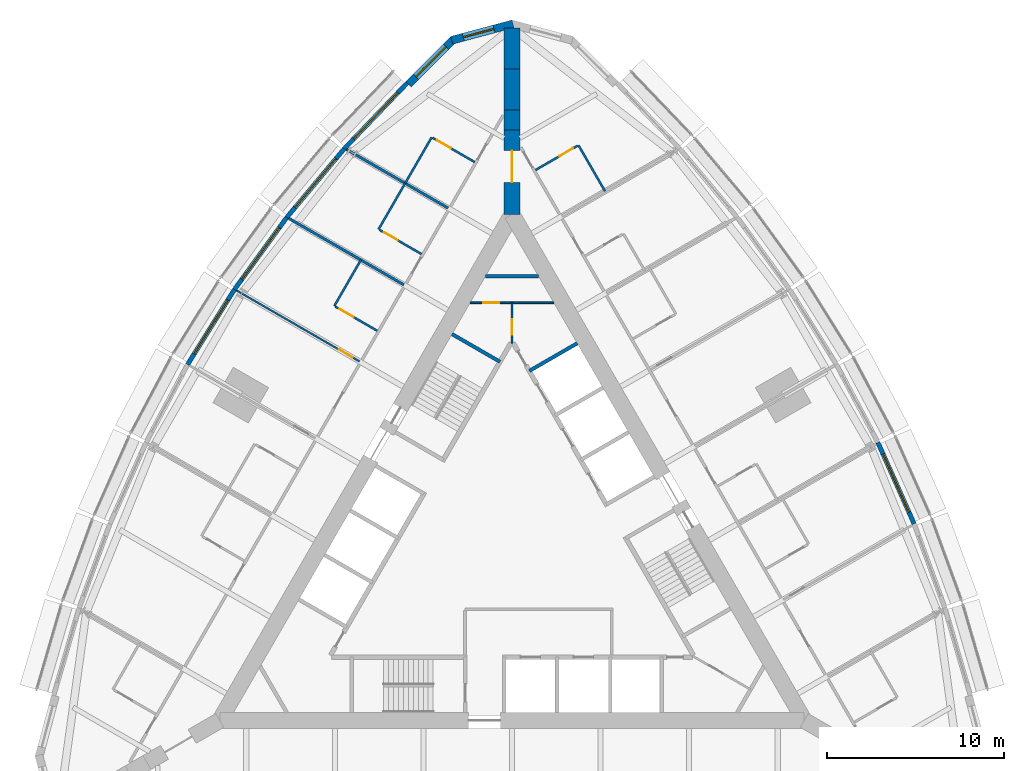
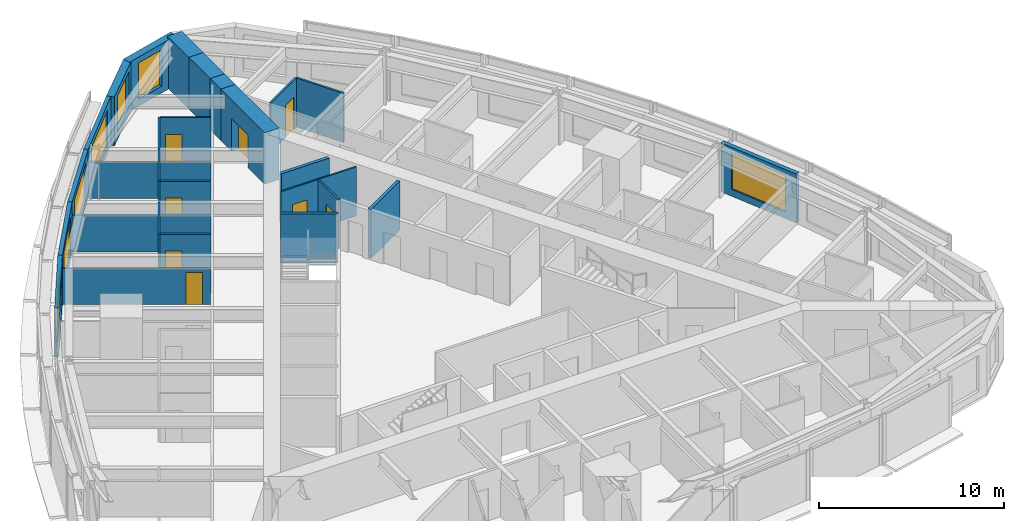
# One storey, part 12 of 14: 27 walls, 8 doors, 7 windows, 15 openings.
"""IFC4 building model written with IfcOpenShell, lengths in metres."""

from ifc_helpers import new_model, si_unit, direction, frame, frame_2d, origin, place, context, subcontext, project, spatial, polyline, rectangle, outline, extrude, material, layer, layer_set, type_object, element, fill, save


model = new_model("IFC4")

# Units and contexts
model_context = context("Model", 3, precision=1e-05, world=origin(), true_north=direction((0.0, 1.0)))
body_context = subcontext(model_context, "Body", "Model", "MODEL_VIEW")
ifc_project = project(units=[si_unit("LENGTHUNIT", "METRE"), si_unit("AREAUNIT", "SQUARE_METRE"), si_unit("VOLUMEUNIT", "CUBIC_METRE"), si_unit("PLANEANGLEUNIT", "RADIAN"), si_unit("MASSUNIT", "GRAM", prefix="KILO")], contexts=[model_context])

# Site, building, storey
site_placement = place(None, origin())
site = spatial("IfcSite", under=ifc_project, at=site_placement, CompositionType="ELEMENT")
building_placement = place(site_placement, origin())
building = spatial("IfcBuilding", under=site, at=building_placement, Name="Trikona Tower", CompositionType="ELEMENT")
storey_placement = place(building_placement, frame((0.0, 0.0, 152.10009765625)))
storey = spatial("IfcBuildingStorey", under=building, at=storey_placement, Name="L40", CompositionType="ELEMENT", Elevation=152.10009765625)

# Wall
ifc_material_1 = material(Name="Metal stud and cement board", Category="gypsum")
ifc_layer_1 = layer(ifc_material_1, 0.1201171875)
ifc_layer_set_1 = layer_set([ifc_layer_1], Name="Bathroom wall 120")
wall_type_1 = type_object("IfcWallType", Name="Bathroom wall 120", PredefinedType="PLUMBINGWALL", material=ifc_layer_set_1)
wall_1_placement = place(storey_placement, frame((5.25341796875, 20.353515625, 0.0), z_axis=(0.0, 0.0, 1.0), x_axis=(-0.499990139034, 0.866031096941, 0.0)))
element("IfcWall", 1, at=wall_1_placement, inside=storey, type_object=wall_type_1, Name="Bathroom wall 4012", PredefinedType="PLUMBINGWALL", context=body_context, shape_type="SweptSolid", body=[
    extrude(rectangle(XDim=3.0, YDim=0.1201171875, at=frame_2d((1.5, 0.0))), origin(), (0.0, 0.0, 1.0), 3.23486328125),
])

# Wall, opening, door
wall_2_placement = place(storey_placement, frame((1.32861328125, 21.551513671875, 0.0), z_axis=(0.0, 0.0, 1.0), x_axis=(0.865997131366, 0.500048966069, 0.0)))
wall_2 = element("IfcWall", 2, at=wall_2_placement, inside=storey, type_object=wall_type_1, Name="Bathroom wall 4012", PredefinedType="PLUMBINGWALL", context=body_context, shape_type="SweptSolid", body=[
    extrude(rectangle(XDim=2.739990234375, YDim=0.1201171875, at=frame_2d((1.3701171875, 0.0))), origin(), (0.0, 0.0, 1.0), 3.23486328125),
])
opening_1_placement = place(wall_2_placement, frame((1.550048828125, 0.0, 0.0)))
opening_1 = element("IfcOpeningElement", 3, at=opening_1_placement, cuts=wall_2, Name="Opening D2", PredefinedType="OPENING", context=body_context, shape_type="SweptSolid", body=[
    extrude(rectangle(XDim=0.89990234375, YDim=2.1298828125, at=frame_2d((0.449951171875, 1.06494140625))), frame((0.0, 0.070068359375, 0.0), z_axis=(0.0, -1.0, 0.0), x_axis=(1.0, 0.0, 0.0)), (0.0, 0.0, 1.0), 0.14013671875),
])
ifc_material_2 = material(Name="Steel door frame with solid-core timber leaf", Category="steel")
door_type_1 = type_object("IfcDoorType", Name="Bathroom door 900x2130", OperationType="SLIDING_TO_LEFT", PredefinedType="DOOR", material=ifc_material_2)
door_1_placement = place(opening_1_placement, origin())
door_1 = element("IfcDoor", 4, at=door_1_placement, inside=storey, type_object=door_type_1, Name="Bathroom door 4012", OperationType="SLIDING_TO_LEFT", OverallHeight=2.1298828125, OverallWidth=0.89990234375, PredefinedType="DOOR", context=body_context, shape_type="SweptSolid", body=[
    extrude(rectangle(XDim=0.89990234375, YDim=2.1298828125, at=frame_2d((0.449951171875, 1.06494140625))), frame((0.0, 0.02490234375, 0.0), z_axis=(0.0, -1.0, 0.0), x_axis=(1.0, 0.0, 0.0)), (0.0, 0.0, 1.0), 0.050048828125),
])
fill(opening_1, door_1)

# Wall
wall_3_placement = place(storey_placement, frame((-4.53271484375, 23.401611328125, 0.0), z_axis=(0.0, 0.0, 1.0), x_axis=(-0.499990139034, -0.866031096941, 0.0)))
element("IfcWall", 5, at=wall_3_placement, inside=storey, type_object=wall_type_1, Name="Bathroom wall 4013", PredefinedType="PLUMBINGWALL", context=body_context, shape_type="SweptSolid", body=[
    extrude(rectangle(XDim=3.0, YDim=0.1201171875, at=frame_2d((1.5, 0.0))), origin(), (0.0, 0.0, 1.0), 3.23486328125),
])

# Wall, opening, door
wall_4_placement = place(storey_placement, frame((-2.10791015625, 22.001708984375, 0.0), z_axis=(0.0, 0.0, 1.0), x_axis=(-0.866035715982, 0.499982138324, 0.0)))
wall_4 = element("IfcWall", 6, at=wall_4_placement, inside=storey, type_object=wall_type_1, Name="Bathroom wall 4013", PredefinedType="PLUMBINGWALL", context=body_context, shape_type="SweptSolid", body=[
    extrude(rectangle(XDim=2.73974609375, YDim=0.1201171875, at=frame_2d((1.369873046875, 0.0))), origin(), (0.0, 0.0, 1.0), 3.23486328125),
])
opening_2_placement = place(wall_4_placement, frame((1.550048828125, 0.0, 0.0)))
opening_2 = element("IfcOpeningElement", 7, at=opening_2_placement, cuts=wall_4, Name="Opening D2", PredefinedType="OPENING", context=body_context, shape_type="SweptSolid", body=[
    extrude(rectangle(XDim=0.89990234375, YDim=2.1298828125, at=frame_2d((0.449951171875, 1.06494140625))), frame((0.0, 0.070068359375, 0.0), z_axis=(0.0, -1.0, 0.0), x_axis=(1.0, 0.0, 0.0)), (0.0, 0.0, 1.0), 0.14013671875),
])
door_2_placement = place(opening_2_placement, origin())
door_2 = element("IfcDoor", 8, at=door_2_placement, inside=storey, type_object=door_type_1, Name="Bathroom door 4013", OperationType="SLIDING_TO_LEFT", OverallHeight=2.1298828125, OverallWidth=0.89990234375, PredefinedType="DOOR", context=body_context, shape_type="SweptSolid", body=[
    extrude(rectangle(XDim=0.89990234375, YDim=2.1298828125, at=frame_2d((0.449951171875, 1.06494140625))), frame((0.0, 0.02490234375, 0.0), z_axis=(0.0, -1.0, 0.0), x_axis=(1.0, 0.0, 0.0)), (0.0, 0.0, 1.0), 0.050048828125),
])
fill(opening_2, door_2)

# Wall
wall_5_placement = place(storey_placement, frame((-6.03271484375, 20.803466796875, 0.0), z_axis=(0.0, 0.0, 1.0), x_axis=(-0.499990139034, -0.866031096941, 0.0)))
element("IfcWall", 9, at=wall_5_placement, inside=storey, type_object=wall_type_1, Name="Bathroom wall 4014", PredefinedType="PLUMBINGWALL", context=body_context, shape_type="SweptSolid", body=[
    extrude(rectangle(XDim=3.0, YDim=0.1201171875, at=frame_2d((1.5, 0.0))), origin(), (0.0, 0.0, 1.0), 3.23486328125),
])

# Wall, opening, door
wall_6_placement = place(storey_placement, frame((-5.10791015625, 16.805419921875, 0.0), z_axis=(0.0, 0.0, 1.0), x_axis=(-0.866035715982, 0.499982138324, 0.0)))
wall_6 = element("IfcWall", 10, at=wall_6_placement, inside=storey, type_object=wall_type_1, Name="Bathroom wall 4014", PredefinedType="PLUMBINGWALL", context=body_context, shape_type="SweptSolid", body=[
    extrude(rectangle(XDim=2.73974609375, YDim=0.1201171875, at=frame_2d((1.369873046875, 0.0))), origin(), (0.0, 0.0, 1.0), 3.23486328125),
])
opening_3_placement = place(wall_6_placement, frame((1.550048828125, 0.0, 0.0)))
opening_3 = element("IfcOpeningElement", 11, at=opening_3_placement, cuts=wall_6, Name="Opening D2", PredefinedType="OPENING", context=body_context, shape_type="SweptSolid", body=[
    extrude(rectangle(XDim=0.89990234375, YDim=2.1298828125, at=frame_2d((0.449951171875, 1.06494140625))), frame((0.0, 0.070068359375, 0.0), z_axis=(0.0, -1.0, 0.0), x_axis=(1.0, 0.0, 0.0)), (0.0, 0.0, 1.0), 0.14013671875),
])
door_3_placement = place(opening_3_placement, origin())
door_3 = element("IfcDoor", 12, at=door_3_placement, inside=storey, type_object=door_type_1, Name="Bathroom door 4014", OperationType="SLIDING_TO_LEFT", OverallHeight=2.1298828125, OverallWidth=0.89990234375, PredefinedType="DOOR", context=body_context, shape_type="SweptSolid", body=[
    extrude(rectangle(XDim=0.89990234375, YDim=2.1298828125, at=frame_2d((0.449951171875, 1.06494140625))), frame((0.0, 0.02490234375, 0.0), z_axis=(0.0, -1.0, 0.0), x_axis=(1.0, 0.0, 0.0)), (0.0, 0.0, 1.0), 0.050048828125),
])
fill(opening_3, door_3)

# Wall
wall_7_placement = place(storey_placement, frame((-8.53271484375, 16.473388671875, 0.0), z_axis=(0.0, 0.0, 1.0), x_axis=(-0.499990139034, -0.866031096941, 0.0)))
element("IfcWall", 13, at=wall_7_placement, inside=storey, type_object=wall_type_1, Name="Bathroom wall 4015.1", PredefinedType="PLUMBINGWALL", context=body_context, shape_type="SweptSolid", body=[
    extrude(rectangle(XDim=3.0, YDim=0.1201171875, at=frame_2d((1.5, 0.0))), origin(), (0.0, 0.0, 1.0), 3.23486328125),
])

# Wall, opening, door
wall_8_placement = place(storey_placement, frame((-7.60791015625, 12.475341796875, 0.0), z_axis=(0.0, 0.0, 1.0), x_axis=(-0.866035715982, 0.499982138324, 0.0)))
wall_8 = element("IfcWall", 14, at=wall_8_placement, inside=storey, type_object=wall_type_1, Name="Bathroom wall 4015.1", PredefinedType="PLUMBINGWALL", context=body_context, shape_type="SweptSolid", body=[
    extrude(rectangle(XDim=2.73974609375, YDim=0.1201171875, at=frame_2d((1.369873046875, 0.0))), origin(), (0.0, 0.0, 1.0), 3.23486328125),
])
opening_4_placement = place(wall_8_placement, frame((1.550048828125, 0.0, 0.0)))
opening_4 = element("IfcOpeningElement", 15, at=opening_4_placement, cuts=wall_8, Name="Opening D2", PredefinedType="OPENING", context=body_context, shape_type="SweptSolid", body=[
    extrude(rectangle(XDim=0.89990234375, YDim=2.1298828125, at=frame_2d((0.449951171875, 1.06494140625))), frame((0.0, 0.070068359375, 0.0), z_axis=(0.0, -1.0, 0.0), x_axis=(1.0, 0.0, 0.0)), (0.0, 0.0, 1.0), 0.14013671875),
])
door_4_placement = place(opening_4_placement, origin())
door_4 = element("IfcDoor", 16, at=door_4_placement, inside=storey, type_object=door_type_1, Name="Bathroom door 4015.1", OperationType="SLIDING_TO_LEFT", OverallHeight=2.1298828125, OverallWidth=0.89990234375, PredefinedType="DOOR", context=body_context, shape_type="SweptSolid", body=[
    extrude(rectangle(XDim=0.89990234375, YDim=2.1298828125, at=frame_2d((0.449951171875, 1.06494140625))), frame((0.0, 0.02490234375, 0.0), z_axis=(0.0, -1.0, 0.0), x_axis=(1.0, 0.0, 0.0)), (0.0, 0.0, 1.0), 0.050048828125),
])
fill(opening_4, door_4)

# Wall, opening, window
ifc_material_3 = material(Name="Brick-faced precast concrete", Category="masonry")
ifc_layer_2 = layer(ifc_material_3, 0.449951171875)
ifc_layer_set_2 = layer_set([ifc_layer_2], Name="Brick-faced corner wall 450")
wall_type_2 = type_object("IfcWallType", Name="Brick-faced corner wall 450", PredefinedType="SOLIDWALL", material=ifc_layer_set_2)
wall_9_placement = place(storey_placement, frame((0.05810546875, 29.804931640625, 0.0), z_axis=(0.0, 0.0, 1.0), x_axis=(-0.965924653531, -0.258823421857, 0.0)))
wall_9 = element("IfcWall", 17, at=wall_9_placement, inside=storey, type_object=wall_type_2, Name="External wall L40-22", PredefinedType="SOLIDWALL", context=body_context, shape_type="SweptSolid", body=[
    extrude(outline(polyline([(3.58642578125, 0.22509765625), (0.58642578125, 0.22509765625), (0.551025390625, 0.09326171875), (0.0595703125, 0.22509765625), (0.0, 0.22509765625), (0.0, -0.22509765625), (3.58642578125, -0.22509765625), (3.58642578125, 0.22509765625)])), origin(), (0.0, 0.0, 1.0), 3.23486328125),
])
opening_5_placement = place(wall_9_placement, frame((1.111328125, 0.0, 0.449951171875)))
opening_5 = element("IfcOpeningElement", 18, at=opening_5_placement, cuts=wall_9, Name="Opening W1824", PredefinedType="OPENING", context=body_context, shape_type="SweptSolid", body=[
    extrude(rectangle(XDim=1.800048828125, YDim=2.39990234375, at=frame_2d((0.89990234375, 1.199951171875))), frame((0.0, 0.23486328125, 0.0), z_axis=(0.0, -1.0, 0.0), x_axis=(1.0, 0.0, 0.0)), (0.0, 0.0, 1.0), 0.469970703125),
])
ifc_material_4 = material(Name="Aluminium-framed double glazing", Category="aluminium")
window_type_1 = type_object("IfcWindowType", Name="Window 1800x2400", PartitioningType="SINGLE_PANEL", PredefinedType="WINDOW", material=ifc_material_4)
window_1_placement = place(opening_5_placement, origin())
window_1 = element("IfcWindow", 19, at=window_1_placement, inside=storey, type_object=window_type_1, Name="Window 4013", OverallHeight=2.39990234375, OverallWidth=1.800048828125, PartitioningType="SINGLE_PANEL", PredefinedType="WINDOW", context=body_context, shape_type="SweptSolid", body=[
    extrude(rectangle(XDim=1.800048828125, YDim=2.39990234375, at=frame_2d((0.89990234375, 1.199951171875))), frame((0.0, 0.030029296875, 0.0), z_axis=(0.0, -1.0, 0.0), x_axis=(1.0, 0.0, 0.0)), (0.0, 0.0, 1.0), 0.06005859375),
])
fill(opening_5, window_1)

wall_10_placement = place(storey_placement, frame((-3.304931640625, 28.934814453125, 0.0), z_axis=(0.0, 0.0, 1.0), x_axis=(-0.707106781187, -0.707106781187, 0.0)))
wall_10 = element("IfcWall", 20, at=wall_10_placement, inside=storey, type_object=wall_type_2, Name="External wall L40-23", PredefinedType="SOLIDWALL", context=body_context, shape_type="SweptSolid", body=[
    extrude(rectangle(XDim=3.586181640625, YDim=0.449951171875, at=frame_2d((1.79296875, 0.0))), origin(), (0.0, 0.0, 1.0), 3.23486328125),
])
opening_6_placement = place(wall_10_placement, frame((0.59326171875, 0.0, 0.449951171875)))
opening_6 = element("IfcOpeningElement", 21, at=opening_6_placement, cuts=wall_10, Name="Opening W2424", PredefinedType="OPENING", context=body_context, shape_type="SweptSolid", body=[
    extrude(rectangle(XDim=2.39990234375, YDim=2.39990234375, at=frame_2d((1.199951171875, 1.199951171875))), frame((0.0, 0.23486328125, 0.0), z_axis=(0.0, -1.0, 0.0), x_axis=(1.0, 0.0, 0.0)), (0.0, 0.0, 1.0), 0.469970703125),
])
ifc_material_5 = material(Name="Aluminium-framed double glazing", Category="aluminium")
window_type_2 = type_object("IfcWindowType", Name="Window 2400x2400", PartitioningType="SINGLE_PANEL", PredefinedType="WINDOW", material=ifc_material_5)
window_2_placement = place(opening_6_placement, origin())
window_2 = element("IfcWindow", 22, at=window_2_placement, inside=storey, type_object=window_type_2, Name="Window 4013", OverallHeight=2.39990234375, OverallWidth=2.39990234375, PartitioningType="SINGLE_PANEL", PredefinedType="WINDOW", context=body_context, shape_type="SweptSolid", body=[
    extrude(rectangle(XDim=2.39990234375, YDim=2.39990234375, at=frame_2d((1.199951171875, 1.199951171875))), frame((0.0, 0.030029296875, 0.0), z_axis=(0.0, -1.0, 0.0), x_axis=(1.0, 0.0, 0.0)), (0.0, 0.0, 1.0), 0.06005859375),
])
fill(opening_6, window_2)

# Wall, opening, door
ifc_material_6 = material(Name="Concrete f'c 10000 psi", Category="concrete")
ifc_layer_3 = layer(ifc_material_6, 0.89990234375)
ifc_layer_set_3 = layer_set([ifc_layer_3], Name="Buttress wall 900")
wall_type_3 = type_object("IfcWallType", Name="Buttress wall 900", PredefinedType="SHEAR", material=ifc_layer_set_3)
wall_11_placement = place(storey_placement, frame((0.0, 19.052490234375, 0.0), z_axis=(0.0, 0.0, 1.0), x_axis=(0.0, 1.0, 0.0)))
wall_11 = element("IfcWall", 23, at=wall_11_placement, inside=storey, type_object=wall_type_3, Name="Buttress wall 2", PredefinedType="SHEAR", context=body_context, shape_type="SweptSolid", body=[
    extrude(rectangle(XDim=4.74609375, YDim=0.89990234375, at=frame_2d((2.373046875, 0.0))), origin(), (0.0, 0.0, 1.0), 3.39990234375),
])
opening_7_placement = place(wall_11_placement, frame((1.800048828125, 0.0, 0.0)))
opening_7 = element("IfcOpeningElement", 24, at=opening_7_placement, cuts=wall_11, Name="Opening D10", PredefinedType="OPENING", context=body_context, shape_type="SweptSolid", body=[
    extrude(rectangle(XDim=1.800048828125, YDim=2.1298828125, at=frame_2d((0.89990234375, 1.06494140625))), frame((0.0, 0.4599609375, 0.0), z_axis=(0.0, -1.0, 0.0), x_axis=(1.0, 0.0, 0.0)), (0.0, 0.0, 1.0), 0.919921875),
])
ifc_material_7 = material(Name="Hollow metal door and frame", Category="steel")
door_type_2 = type_object("IfcDoorType", Name="Cross-corridor door pair 1800x2130", OperationType="DOUBLE_DOOR_DOUBLE_SWING", PredefinedType="DOOR", material=ifc_material_7)
door_5_placement = place(opening_7_placement, origin())
door_5 = element("IfcDoor", 25, at=door_5_placement, inside=storey, type_object=door_type_2, Name="Cross-corridor door 2", OperationType="DOUBLE_DOOR_DOUBLE_SWING", OverallHeight=2.1298828125, OverallWidth=1.800048828125, PredefinedType="DOOR", context=body_context, shape_type="SweptSolid", body=[
    extrude(rectangle(XDim=1.800048828125, YDim=2.1298828125, at=frame_2d((0.89990234375, 1.06494140625))), frame((0.0, 0.02490234375, 0.0), z_axis=(0.0, -1.0, 0.0), x_axis=(1.0, 0.0, 0.0)), (0.0, 0.0, 1.0), 0.050048828125),
])
fill(opening_7, door_5)

# Walls
wall_12_placement = place(storey_placement, frame((0.0, 23.798583984375, 0.0), z_axis=(0.0, 0.0, 1.0), x_axis=(0.0, 1.0, 0.0)))
element("IfcWall", 26, at=wall_12_placement, inside=storey, type_object=wall_type_3, Name="Buttress wall 2 part 2", PredefinedType="SHEAR", context=body_context, shape_type="SweptSolid", body=[
    extrude(rectangle(XDim=1.15478515625, YDim=0.89990234375, at=frame_2d((0.577392578125, 0.0))), origin(), (0.0, 0.0, 1.0), 3.39990234375),
])
wall_13_placement = place(storey_placement, frame((0.0, 24.953369140625, 0.0), z_axis=(0.0, 0.0, 1.0), x_axis=(0.0, 1.0, 0.0)))
element("IfcWall", 27, at=wall_13_placement, inside=storey, type_object=wall_type_3, Name="Buttress wall 2 part 3", PredefinedType="SHEAR", context=body_context, shape_type="SweptSolid", body=[
    extrude(rectangle(XDim=2.309326171875, YDim=0.89990234375, at=frame_2d((1.15478515625, 0.0))), origin(), (0.0, 0.0, 1.0), 3.39990234375),
])
wall_14_placement = place(storey_placement, frame((0.0, 27.2626953125, 0.0), z_axis=(0.0, 0.0, 1.0), x_axis=(0.0, 1.0, 0.0)))
element("IfcWall", 28, at=wall_14_placement, inside=storey, type_object=wall_type_3, Name="Buttress wall 2 part 4", PredefinedType="SHEAR", context=body_context, shape_type="SweptSolid", body=[
    extrude(rectangle(XDim=2.3095703125, YDim=0.89990234375, at=frame_2d((1.15478515625, 0.0))), origin(), (0.0, 0.0, 1.0), 3.39990234375),
])

# Wall, opening, window
ifc_material_8 = material(Name="Insulated precast concrete spandrel panel", Category="concrete")
ifc_layer_4 = layer(ifc_material_8, 0.25)
ifc_layer_set_4 = layer_set([ifc_layer_4], Name="Inner skin wall 250")
wall_type_4 = type_object("IfcWallType", Name="Inner skin wall 250", PredefinedType="STANDARD", material=ifc_layer_set_4)
wall_15_placement = place(storey_placement, frame((22.70458984375, 1.576416015625, 0.0), z_axis=(0.0, 0.0, 1.0), x_axis=(-0.406832200364, 0.913502906808, 0.0)))
wall_15 = element("IfcWall", 29, at=wall_15_placement, inside=storey, type_object=wall_type_4, Name="External wall L40-14", PredefinedType="STANDARD", context=body_context, shape_type="SweptSolid", body=[
    extrude(rectangle(XDim=5.027587890625, YDim=0.25, at=frame_2d((2.513671875, 0.0))), origin(), (0.0, 0.0, 1.0), 3.23486328125),
])
opening_8_placement = place(wall_15_placement, frame((0.713623046875, 0.0, 0.449951171875)))
opening_8 = element("IfcOpeningElement", 30, at=opening_8_placement, cuts=wall_15, Name="Opening W3624", PredefinedType="OPENING", context=body_context, shape_type="SweptSolid", body=[
    extrude(rectangle(XDim=3.60009765625, YDim=2.39990234375, at=frame_2d((1.800048828125, 1.199951171875))), frame((0.0, 0.135009765625, 0.0), z_axis=(0.0, -1.0, 0.0), x_axis=(1.0, 0.0, 0.0)), (0.0, 0.0, 1.0), 0.27001953125),
])
ifc_material_9 = material(Name="Aluminium-framed double glazing", Category="aluminium")
window_type_3 = type_object("IfcWindowType", Name="Window 3600x2400", PartitioningType="SINGLE_PANEL", PredefinedType="WINDOW", material=ifc_material_9)
window_3_placement = place(opening_8_placement, origin())
window_3 = element("IfcWindow", 31, at=window_3_placement, inside=storey, type_object=window_type_3, Name="Window 4008.1", OverallHeight=2.39990234375, OverallWidth=3.60009765625, PartitioningType="SINGLE_PANEL", PredefinedType="WINDOW", context=body_context, shape_type="SweptSolid", body=[
    extrude(rectangle(XDim=3.60009765625, YDim=2.39990234375, at=frame_2d((1.800048828125, 1.199951171875))), frame((0.0, 0.030029296875, 0.0), z_axis=(0.0, -1.0, 0.0), x_axis=(1.0, 0.0, 0.0)), (0.0, 0.0, 1.0), 0.06005859375),
])
fill(opening_8, window_3)

wall_16_placement = place(storey_placement, frame((-5.90966796875, 26.4716796875, 0.0), z_axis=(0.0, 0.0, 1.0), x_axis=(-0.691719937936, -0.722165858693, 0.0)))
wall_16 = element("IfcWall", 32, at=wall_16_placement, inside=storey, type_object=wall_type_4, Name="External wall L40-24", PredefinedType="STANDARD", context=body_context, shape_type="SweptSolid", body=[
    extrude(rectangle(XDim=5.148193359375, YDim=0.25, at=frame_2d((2.57421875, 0.0))), origin(), (0.0, 0.0, 1.0), 3.23486328125),
])
opening_9_placement = place(wall_16_placement, frame((0.77392578125, 0.0, 0.449951171875)))
opening_9 = element("IfcOpeningElement", 33, at=opening_9_placement, cuts=wall_16, Name="Opening W3624", PredefinedType="OPENING", context=body_context, shape_type="SweptSolid", body=[
    extrude(rectangle(XDim=3.60009765625, YDim=2.39990234375, at=frame_2d((1.800048828125, 1.199951171875))), frame((0.0, 0.135009765625, 0.0), z_axis=(0.0, -1.0, 0.0), x_axis=(1.0, 0.0, 0.0)), (0.0, 0.0, 1.0), 0.27001953125),
])
window_4_placement = place(opening_9_placement, origin())
window_4 = element("IfcWindow", 34, at=window_4_placement, inside=storey, type_object=window_type_3, Name="Window 4013", OverallHeight=2.39990234375, OverallWidth=3.60009765625, PartitioningType="SINGLE_PANEL", PredefinedType="WINDOW", context=body_context, shape_type="SweptSolid", body=[
    extrude(rectangle(XDim=3.60009765625, YDim=2.39990234375, at=frame_2d((1.800048828125, 1.199951171875))), frame((0.0, 0.030029296875, 0.0), z_axis=(0.0, -1.0, 0.0), x_axis=(1.0, 0.0, 0.0)), (0.0, 0.0, 1.0), 0.06005859375),
])
fill(opening_9, window_4)

wall_17_placement = place(storey_placement, frame((-9.465087890625, 22.76025390625, 0.0), z_axis=(0.0, 0.0, 1.0), x_axis=(-0.641810386606, -0.766863369607, 0.0)))
wall_17 = element("IfcWall", 35, at=wall_17_placement, inside=storey, type_object=wall_type_4, Name="External wall L40-25", PredefinedType="STANDARD", context=body_context, shape_type="SweptSolid", body=[
    extrude(rectangle(XDim=5.075927734375, YDim=0.25, at=frame_2d((2.5380859375, 0.0))), origin(), (0.0, 0.0, 1.0), 3.23486328125),
])
opening_10_placement = place(wall_17_placement, frame((0.738037109375, 0.0, 0.449951171875)))
opening_10 = element("IfcOpeningElement", 36, at=opening_10_placement, cuts=wall_17, Name="Opening W3624", PredefinedType="OPENING", context=body_context, shape_type="SweptSolid", body=[
    extrude(rectangle(XDim=3.60009765625, YDim=2.39990234375, at=frame_2d((1.800048828125, 1.199951171875))), frame((0.0, 0.135009765625, 0.0), z_axis=(0.0, -1.0, 0.0), x_axis=(1.0, 0.0, 0.0)), (0.0, 0.0, 1.0), 0.27001953125),
])
window_5_placement = place(opening_10_placement, origin())
window_5 = element("IfcWindow", 37, at=window_5_placement, inside=storey, type_object=window_type_3, Name="Window 4014", OverallHeight=2.39990234375, OverallWidth=3.60009765625, PartitioningType="SINGLE_PANEL", PredefinedType="WINDOW", context=body_context, shape_type="SweptSolid", body=[
    extrude(rectangle(XDim=3.60009765625, YDim=2.39990234375, at=frame_2d((1.800048828125, 1.199951171875))), frame((0.0, 0.030029296875, 0.0), z_axis=(0.0, -1.0, 0.0), x_axis=(1.0, 0.0, 0.0)), (0.0, 0.0, 1.0), 0.06005859375),
])
fill(opening_10, window_5)

wall_18_placement = place(storey_placement, frame((-12.717529296875, 18.87451171875, 0.0), z_axis=(0.0, 0.0, 1.0), x_axis=(-0.587669188412, -0.809101307001, 0.0)))
wall_18 = element("IfcWall", 38, at=wall_18_placement, inside=storey, type_object=wall_type_4, Name="External wall L40-26", PredefinedType="STANDARD", context=body_context, shape_type="SweptSolid", body=[
    extrude(rectangle(XDim=5.027587890625, YDim=0.25, at=frame_2d((2.513671875, 0.0))), origin(), (0.0, 0.0, 1.0), 3.23486328125),
])
opening_11_placement = place(wall_18_placement, frame((0.7138671875, 0.0, 0.449951171875)))
opening_11 = element("IfcOpeningElement", 39, at=opening_11_placement, cuts=wall_18, Name="Opening W3624", PredefinedType="OPENING", context=body_context, shape_type="SweptSolid", body=[
    extrude(rectangle(XDim=3.60009765625, YDim=2.39990234375, at=frame_2d((1.800048828125, 1.199951171875))), frame((0.0, 0.135009765625, 0.0), z_axis=(0.0, -1.0, 0.0), x_axis=(1.0, 0.0, 0.0)), (0.0, 0.0, 1.0), 0.27001953125),
])
window_6_placement = place(opening_11_placement, origin())
window_6 = element("IfcWindow", 40, at=window_6_placement, inside=storey, type_object=window_type_3, Name="Window 4015.1", OverallHeight=2.39990234375, OverallWidth=3.60009765625, PartitioningType="SINGLE_PANEL", PredefinedType="WINDOW", context=body_context, shape_type="SweptSolid", body=[
    extrude(rectangle(XDim=3.60009765625, YDim=2.39990234375, at=frame_2d((1.800048828125, 1.199951171875))), frame((0.0, 0.030029296875, 0.0), z_axis=(0.0, -1.0, 0.0), x_axis=(1.0, 0.0, 0.0)), (0.0, 0.0, 1.0), 0.06005859375),
])
fill(opening_11, window_6)

wall_19_placement = place(storey_placement, frame((-15.667236328125, 14.81396484375, 0.0), z_axis=(0.0, 0.0, 1.0), x_axis=(-0.529990167382, -0.84800378683, 0.0)))
wall_19 = element("IfcWall", 41, at=wall_19_placement, inside=storey, type_object=wall_type_4, Name="External wall L40-27", PredefinedType="STANDARD", context=body_context, shape_type="SweptSolid", body=[
    extrude(rectangle(XDim=5.003173828125, YDim=0.25, at=frame_2d((2.50146484375, 0.0))), origin(), (0.0, 0.0, 1.0), 3.23486328125),
])
opening_12_placement = place(wall_19_placement, frame((0.701416015625, 0.0, 0.449951171875)))
opening_12 = element("IfcOpeningElement", 42, at=opening_12_placement, cuts=wall_19, Name="Opening W3624", PredefinedType="OPENING", context=body_context, shape_type="SweptSolid", body=[
    extrude(rectangle(XDim=3.60009765625, YDim=2.39990234375, at=frame_2d((1.800048828125, 1.199951171875))), frame((0.0, 0.135009765625, 0.0), z_axis=(0.0, -1.0, 0.0), x_axis=(1.0, 0.0, 0.0)), (0.0, 0.0, 1.0), 0.27001953125),
])
window_7_placement = place(opening_12_placement, origin())
window_7 = element("IfcWindow", 43, at=window_7_placement, inside=storey, type_object=window_type_3, Name="Window 4015", OverallHeight=2.39990234375, OverallWidth=3.60009765625, PartitioningType="SINGLE_PANEL", PredefinedType="WINDOW", context=body_context, shape_type="SweptSolid", body=[
    extrude(rectangle(XDim=3.60009765625, YDim=2.39990234375, at=frame_2d((1.800048828125, 1.199951171875))), frame((0.0, 0.030029296875, 0.0), z_axis=(0.0, -1.0, 0.0), x_axis=(1.0, 0.0, 0.0)), (0.0, 0.0, 1.0), 0.06005859375),
])
fill(opening_12, window_7)

# Walls
ifc_material_10 = material(Name="Metal stud and gypsum board, 1-hour acoustic", Category="gypsum")
ifc_layer_5 = layer(ifc_material_10, 0.14990234375)
ifc_layer_set_5 = layer_set([ifc_layer_5], Name="Party wall 150")
wall_type_5 = type_object("IfcWallType", Name="Party wall 150", PredefinedType="PARTITIONING", material=ifc_layer_set_5)
wall_20_placement = place(storey_placement, frame((-3.60791015625, 19.403564453125, 0.0), z_axis=(0.0, 0.0, 1.0), x_axis=(-0.866015989873, 0.500016305018, 0.0)))
element("IfcWall", 44, at=wall_20_placement, inside=storey, type_object=wall_type_5, Name="Partition L40 F3 u-15", PredefinedType="PARTITIONING", context=body_context, shape_type="SweptSolid", body=[
    extrude(rectangle(XDim=6.616455078125, YDim=0.14990234375, at=frame_2d((3.30810546875, 0.0))), origin(), (0.0, 0.0, 1.0), 2.38916015625),
])
wall_21_placement = place(storey_placement, frame((-6.10791015625, 15.073486328125, 0.0), z_axis=(0.0, 0.0, 1.0), x_axis=(-0.866025567496, 0.499999716443, 0.0)))
element("IfcWall", 45, at=wall_21_placement, inside=storey, type_object=wall_type_5, Name="Partition L40 F3 u-10", PredefinedType="PARTITIONING", context=body_context, shape_type="SweptSolid", body=[
    extrude(rectangle(XDim=7.4951171875, YDim=0.14990234375, at=frame_2d((3.74755859375, 0.0))), origin(), (0.0, 0.0, 1.0), 2.38916015625),
])
ifc_material_11 = material(Name="Concrete f'c 8000 psi", Category="concrete")
ifc_layer_6 = layer(ifc_material_11, 0.199951171875)
ifc_layer_set_6 = layer_set([ifc_layer_6], Name="Shaft wall 200")
wall_type_6 = type_object("IfcWallType", Name="Shaft wall 200", PredefinedType="SOLIDWALL", material=ifc_layer_set_6)
wall_22_placement = place(storey_placement, frame((0.97900390625, 10.20703125, 0.0), z_axis=(0.0, 0.0, 1.0), x_axis=(0.866022959057, 0.500004234368, 0.0)))
element("IfcWall", 46, at=wall_22_placement, inside=storey, type_object=wall_type_6, Name="Shaft wall B6", PredefinedType="SOLIDWALL", context=body_context, shape_type="SweptSolid", body=[
    extrude(rectangle(XDim=3.125, YDim=0.199951171875, at=frame_2d((1.5625, 0.0))), origin(), (0.0, 0.0, 1.0), 3.23486328125),
])
wall_23_placement = place(storey_placement, frame((-1.501220703125, 15.552490234375, 0.0), z_axis=(0.0, 0.0, 1.0), x_axis=(1.0, 0.0, 0.0)))
element("IfcWall", 47, at=wall_23_placement, inside=storey, type_object=wall_type_6, Name="Riser wall L40-RS2", PredefinedType="SOLIDWALL", context=body_context, shape_type="SweptSolid", body=[
    extrude(rectangle(XDim=3.00244140625, YDim=0.199951171875, at=frame_2d((1.501220703125, 0.0))), origin(), (0.0, 0.0, 1.0), 3.23486328125),
])
ifc_material_12 = material(Name="Concrete f'c 8000 psi", Category="concrete")
ifc_layer_7 = layer(ifc_material_12, 0.199951171875)
ifc_layer_set_7 = layer_set([ifc_layer_7], Name="Shaft wall 200 load-bearing")
wall_type_7 = type_object("IfcWallType", Name="Shaft wall 200 load-bearing", PredefinedType="SOLIDWALL", material=ifc_layer_set_7)
wall_24_placement = place(storey_placement, frame((-0.678955078125, 10.7265625, 0.0), z_axis=(0.0, 0.0, 1.0), x_axis=(-0.866022959057, 0.500004234368, 0.0)))
element("IfcWall", 48, at=wall_24_placement, inside=storey, type_object=wall_type_7, Name="Shaft wall C1", PredefinedType="SOLIDWALL", context=body_context, shape_type="SweptSolid", body=[
    extrude(rectangle(XDim=3.125, YDim=0.199951171875, at=frame_2d((1.5625, 0.0))), origin(), (0.0, 0.0, 1.0), 3.23486328125),
])

# Wall, opening, door
ifc_material_13 = material(Name="Metal stud and gypsum board, acoustic", Category="gypsum")
ifc_layer_8 = layer(ifc_material_13, 0.10009765625)
ifc_layer_set_8 = layer_set([ifc_layer_8], Name="Suite partition 100")
wall_type_8 = type_object("IfcWallType", Name="Suite partition 100", PredefinedType="PARTITIONING", material=ifc_layer_set_8)
wall_25_placement = place(storey_placement, frame((-8.60791015625, 10.743408203125, 0.0), z_axis=(0.0, 0.0, 1.0), x_axis=(-0.866041663918, 0.499971835565, 0.0)))
wall_25 = element("IfcWall", 49, at=wall_25_placement, inside=storey, type_object=wall_type_8, Name="Suite partition L40 F3 u-5", PredefinedType="PARTITIONING", context=body_context, shape_type="SweptSolid", body=[
    extrude(rectangle(XDim=8.0224609375, YDim=0.10009765625, at=frame_2d((4.01123046875, 0.0))), origin(), (0.0, 0.0, 1.0), 2.38916015625),
])
opening_13_placement = place(wall_25_placement, frame((0.449951171875, 0.0, 0.0)))
opening_13 = element("IfcOpeningElement", 50, at=opening_13_placement, cuts=wall_25, Name="Opening D13", PredefinedType="OPENING", context=body_context, shape_type="SweptSolid", body=[
    extrude(rectangle(XDim=0.89990234375, YDim=2.1298828125, at=frame_2d((0.449951171875, 1.06494140625))), frame((0.0, 0.06005859375, 0.0), z_axis=(0.0, -1.0, 0.0), x_axis=(1.0, 0.0, 0.0)), (0.0, 0.0, 1.0), 0.1201171875),
])
ifc_material_14 = material(Name="Steel door frame with solid-core timber leaf", Category="steel")
door_type_3 = type_object("IfcDoorType", Name="Suite door 900x2130", OperationType="SINGLE_SWING_LEFT", PredefinedType="DOOR", material=ifc_material_14)
door_6_placement = place(opening_13_placement, origin())
door_6 = element("IfcDoor", 51, at=door_6_placement, inside=storey, type_object=door_type_3, Name="Suite door 4015", OperationType="SINGLE_SWING_LEFT", OverallHeight=2.1298828125, OverallWidth=0.89990234375, PredefinedType="DOOR", context=body_context, shape_type="SweptSolid", body=[
    extrude(rectangle(XDim=0.89990234375, YDim=2.1298828125, at=frame_2d((0.449951171875, 1.06494140625))), frame((0.0, 0.02490234375, 0.0), z_axis=(0.0, -1.0, 0.0), x_axis=(1.0, 0.0, 0.0)), (0.0, 0.0, 1.0), 0.050048828125),
])
fill(opening_13, door_6)

wall_26_placement = place(storey_placement, frame((-2.3671875, 14.052490234375, 0.0), z_axis=(0.0, 0.0, 1.0), x_axis=(1.0, 0.0, 0.0)))
wall_26 = element("IfcWall", 52, at=wall_26_placement, inside=storey, type_object=wall_type_8, Name="Store partition L40-RS2", PredefinedType="PARTITIONING", context=body_context, shape_type="SweptSolid", body=[
    extrude(rectangle(XDim=4.734375, YDim=0.10009765625, at=frame_2d((2.3671875, 0.0))), origin(), (0.0, 0.0, 1.0), 3.23486328125),
])
opening_14_placement = place(wall_26_placement, frame((0.733642578125, 0.0, 0.0)))
opening_14 = element("IfcOpeningElement", 53, at=opening_14_placement, cuts=wall_26, Name="Opening D15", PredefinedType="OPENING", context=body_context, shape_type="SweptSolid", body=[
    extrude(rectangle(XDim=0.89990234375, YDim=2.1298828125, at=frame_2d((0.449951171875, 1.06494140625))), frame((0.0, 0.06005859375, 0.0), z_axis=(0.0, -1.0, 0.0), x_axis=(1.0, 0.0, 0.0)), (0.0, 0.0, 1.0), 0.1201171875),
])
ifc_material_15 = material(Name="Steel door frame with solid-core timber leaf", Category="steel")
door_type_4 = type_object("IfcDoorType", Name="Store door 900x2130", OperationType="SINGLE_SWING_LEFT", PredefinedType="DOOR", material=ifc_material_15)
door_7_placement = place(opening_14_placement, origin())
door_7 = element("IfcDoor", 54, at=door_7_placement, inside=storey, type_object=door_type_4, Name="Door Amenity store AMS", OperationType="SINGLE_SWING_LEFT", OverallHeight=2.1298828125, OverallWidth=0.89990234375, PredefinedType="DOOR", context=body_context, shape_type="SweptSolid", body=[
    extrude(rectangle(XDim=0.89990234375, YDim=2.1298828125, at=frame_2d((0.449951171875, 1.06494140625))), frame((0.0, 0.02490234375, 0.0), z_axis=(0.0, -1.0, 0.0), x_axis=(1.0, 0.0, 0.0)), (0.0, 0.0, 1.0), 0.050048828125),
])
fill(opening_14, door_7)

wall_27_placement = place(storey_placement, frame((0.0, 14.052490234375, 0.0), z_axis=(0.0, 0.0, 1.0), x_axis=(0.0, -1.0, 0.0)))
wall_27 = element("IfcWall", 55, at=wall_27_placement, inside=storey, type_object=wall_type_8, Name="Store partition L40-RS2", PredefinedType="PARTITIONING", context=body_context, shape_type="SweptSolid", body=[
    extrude(rectangle(XDim=2.275146484375, YDim=0.10009765625, at=frame_2d((1.1376953125, 0.0))), origin(), (0.0, 0.0, 1.0), 3.23486328125),
])
opening_15_placement = place(wall_27_placement, frame((0.9150390625, 0.0, 0.0)))
opening_15 = element("IfcOpeningElement", 56, at=opening_15_placement, cuts=wall_27, Name="Opening D15", PredefinedType="OPENING", context=body_context, shape_type="SweptSolid", body=[
    extrude(rectangle(XDim=0.89990234375, YDim=2.1298828125, at=frame_2d((0.449951171875, 1.06494140625))), frame((0.0, 0.06005859375, 0.0), z_axis=(0.0, -1.0, 0.0), x_axis=(1.0, 0.0, 0.0)), (0.0, 0.0, 1.0), 0.1201171875),
])
door_8_placement = place(opening_15_placement, origin())
door_8 = element("IfcDoor", 57, at=door_8_placement, inside=storey, type_object=door_type_4, Name="Door Luggage store LUG", OperationType="SINGLE_SWING_RIGHT", OverallHeight=2.1298828125, OverallWidth=0.89990234375, PredefinedType="DOOR", context=body_context, shape_type="SweptSolid", body=[
    extrude(rectangle(XDim=0.89990234375, YDim=2.1298828125, at=frame_2d((0.449951171875, 1.06494140625))), frame((0.0, 0.02490234375, 0.0), z_axis=(0.0, -1.0, 0.0), x_axis=(1.0, 0.0, 0.0)), (0.0, 0.0, 1.0), 0.050048828125),
])
fill(opening_15, door_8)

save(model, "model.ifc")
